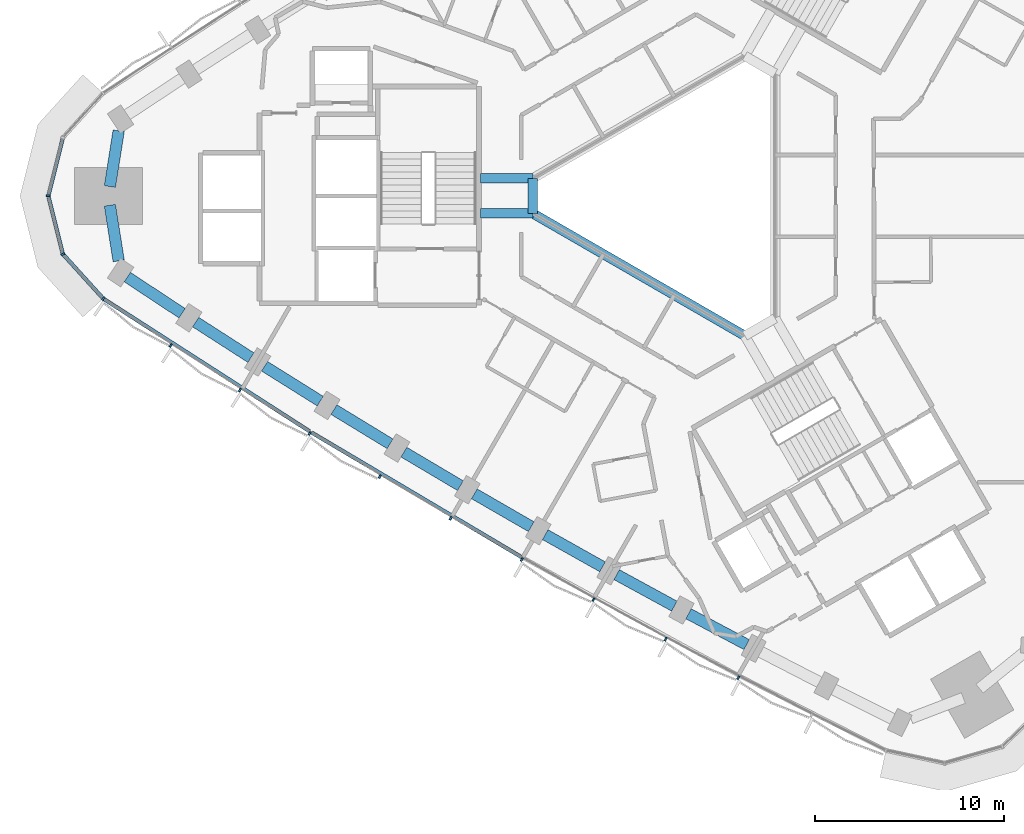
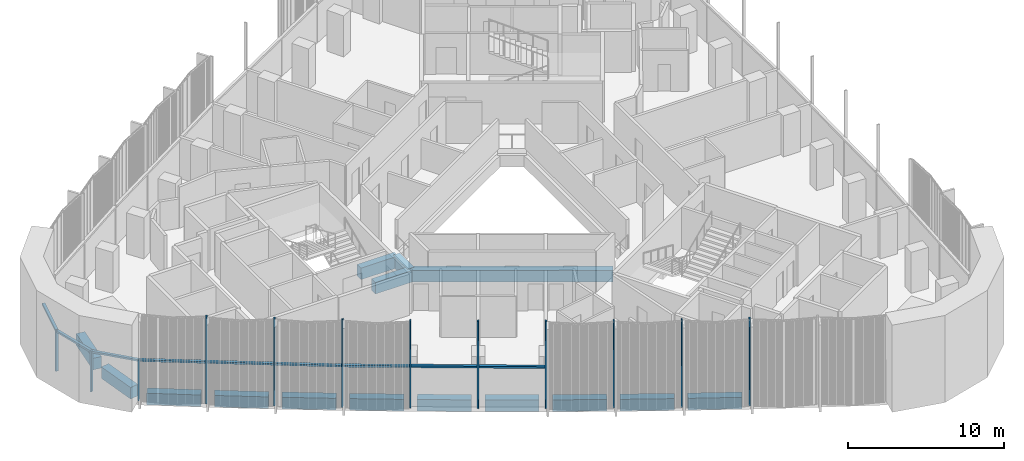
# One storey, part 2 of 15: 17 members, 15 beams, 2 elements without a shape of their own.
"""IFC4 building model written with IfcOpenShell, lengths in metres."""

from ifc_helpers import new_model, si_unit, direction, frame, origin, origin_2d, place, context, subcontext, project, spatial, rectangle, extrude, material, material_profile, profile_set, type_object, element, aggregate, save


model = new_model("IFC4")

# Units and contexts
model_context = context("Model", 3, precision=1e-05, world=origin(), true_north=direction((0.0, 1.0)))
body_context = subcontext(model_context, "Body", "Model", "MODEL_VIEW")
ifc_project = project(units=[si_unit("LENGTHUNIT", "METRE"), si_unit("AREAUNIT", "SQUARE_METRE"), si_unit("VOLUMEUNIT", "CUBIC_METRE"), si_unit("PLANEANGLEUNIT", "RADIAN"), si_unit("MASSUNIT", "GRAM", prefix="KILO")], contexts=[model_context])

# Site, building, storey
site_placement = place(None, origin())
site = spatial("IfcSite", under=ifc_project, at=site_placement, CompositionType="ELEMENT")
building_placement = place(site_placement, origin())
building = spatial("IfcBuilding", under=site, at=building_placement, Name="Tamra Quay Hotel Tower", CompositionType="ELEMENT")
storey_placement = place(building_placement, frame((0.0, 0.0, 157.60009765625)))
storey = spatial("IfcBuildingStorey", under=building, at=storey_placement, Name="L39", CompositionType="ELEMENT", Elevation=157.60009765625)

# Beams
ifc_material_1 = material(Name="Concrete M60", Category="concrete")
ifc_material_profile_1 = material_profile(ifc_material_1, rectangle(XDim=0.5, YDim=0.89990234375, at=origin_2d()), Name="ATRIUM EDGE BEAM RC 500x900")
ifc_profile_set_1 = profile_set([ifc_material_profile_1], Name="Concrete M60")
beam_type_1 = type_object("IfcBeamType", Name="ATRIUM EDGE BEAM RC 500x900", PredefinedType="BEAM", material=ifc_profile_set_1)
beam_1_placement = place(storey_placement, frame((3.199951171875, -7.39013671875, -0.85009765625), z_axis=(-0.866024942741, 0.500000798549, 0.0), x_axis=(-0.500000798549, -0.866024942741, 0.0)))
element("IfcBeam", 1, at=beam_1_placement, inside=storey, type_object=beam_type_1, Name="BM-AB2-L39", PredefinedType="BEAM", context=body_context, shape_type="SweptSolid", body=[
    extrude(rectangle(XDim=0.5, YDim=0.89990234375, at=origin_2d()), origin(), (0.0, 0.0, 1.0), 12.9326171875),
])
beam_2_placement = place(storey_placement, frame((-8.0, -0.923828125, -0.85009765625), z_axis=(0.0, 1.0, 0.0), x_axis=(-1.0, 0.0, 0.0)))
element("IfcBeam", 2, at=beam_2_placement, inside=storey, type_object=beam_type_1, Name="BM-AB3-L39", PredefinedType="BEAM", context=body_context, shape_type="SweptSolid", body=[
    extrude(rectangle(XDim=0.5, YDim=0.89990234375, at=origin_2d()), origin(), (0.0, 0.0, 1.0), 1.84765625),
])
ifc_material_profile_2 = material_profile(ifc_material_1, rectangle(XDim=0.5, YDim=0.89990234375, at=origin_2d()), Name="ATRIUM TIE BEAM RC 500x900")
ifc_profile_set_2 = profile_set([ifc_material_profile_2], Name="Concrete M60")
beam_type_2 = type_object("IfcBeamType", Name="ATRIUM TIE BEAM RC 500x900", PredefinedType="BEAM", material=ifc_profile_set_2)
for number, where, z_axis, x_axis, name in (
    (3, (-8.0, -0.923828125, -0.85009765625), (-1.0, 0.0, 0.0), (0.0, -1.0, 0.0), "BM-TIE-3-L39"),
    (4, (-8.0, 0.923828125, -0.85009765625), (-1.0, 0.0, 0.0), (0.0, -1.0, 0.0), "BM-TIE-4-L39"),
):
    element("IfcBeam", number, at=place(storey_placement, frame(where, z_axis=z_axis, x_axis=x_axis)), inside=storey, type_object=beam_type_2, Name=name, PredefinedType="BEAM", context=body_context, shape_type="SweptSolid", body=[
        extrude(rectangle(XDim=0.5, YDim=0.89990234375, at=origin_2d()), origin(), (0.0, 0.0, 1.0), 2.76220703125),
    ])

# Curtain wall, members
ifc_material_2 = material(Name="Aluminium 6063 anodised dark grey", Category="aluminium")
curtain_wall_type_1 = type_object("IfcCurtainWallType", Name="CW2 CURTAIN WALL", PredefinedType="NOTDEFINED", material=ifc_material_2)
curtain_wall_1_placement = place(storey_placement, origin())
curtain_wall_1 = element("IfcCurtainWall", 5, at=curtain_wall_1_placement, inside=storey, type_object=curtain_wall_type_1, Name="CW2 north-west face L39", PredefinedType="NOTDEFINED")
ifc_material_profile_3 = material_profile(ifc_material_2, rectangle(XDim=0.199951171875, YDim=0.10009765625, at=origin_2d()), Name="MULLION 100X200")
ifc_profile_set_3 = profile_set([ifc_material_profile_3], Name="Aluminium 6063 anodised dark grey")
member_type_1 = type_object("IfcMemberType", Name="MULLION CW2 Z3", PredefinedType="MULLION", material=ifc_profile_set_3)
member_1_placement = place(storey_placement, frame((-33.588134765625, 0.0, 0.0), z_axis=(0.0, 0.0, 1.0), x_axis=(-1.0, 0.0, 0.0)))
member_1 = element("IfcMember", 6, at=member_1_placement, type_object=member_type_1, Name="CW2 mullion L39.NW.14", PredefinedType="MULLION", context=body_context, shape_type="SweptSolid", body=[
    extrude(rectangle(XDim=0.199951171875, YDim=0.10009765625, at=origin_2d()), origin(), (0.0, 0.0, 1.0), 3.199951171875),
])
member_2_placement = place(storey_placement, frame((-32.81787109375, -3.075439453125, 0.0), z_axis=(0.0, 0.0, 1.0), x_axis=(-0.881925145425, -0.47138947577, 0.0)))
member_2 = element("IfcMember", 7, at=member_2_placement, type_object=member_type_1, Name="CW2 mullion L39.NW.15", PredefinedType="MULLION", context=body_context, shape_type="SweptSolid", body=[
    extrude(rectangle(XDim=0.199951171875, YDim=0.10009765625, at=origin_2d()), origin(), (0.0, 0.0, 1.0), 3.199951171875),
])

curtain_wall_type_2 = type_object("IfcCurtainWallType", Name="CW3 CURTAIN WALL", PredefinedType="NOTDEFINED", material=ifc_material_2)
curtain_wall_2_placement = place(storey_placement, origin())
curtain_wall_2 = element("IfcCurtainWall", 8, at=curtain_wall_2_placement, inside=storey, type_object=curtain_wall_type_2, Name="CW3 south-west face L39", PredefinedType="NOTDEFINED")
ifc_material_profile_4 = material_profile(ifc_material_2, rectangle(XDim=0.199951171875, YDim=0.10009765625, at=origin_2d()), Name="MULLION 100X200")
ifc_profile_set_4 = profile_set([ifc_material_profile_4], Name="Aluminium 6063 anodised dark grey")
member_type_2 = type_object("IfcMemberType", Name="MULLION CW3 Z3", PredefinedType="MULLION", material=ifc_profile_set_4)
member_3_placement = place(storey_placement, frame((-30.688720703125, -5.424560546875, 0.0), z_axis=(0.0, 0.0, 1.0), x_axis=(-0.650989312843, -0.759086895266, 0.0)))
member_3 = element("IfcMember", 9, at=member_3_placement, type_object=member_type_2, Name="CW3 mullion L39.SW.1", PredefinedType="MULLION", context=body_context, shape_type="SweptSolid", body=[
    extrude(rectangle(XDim=0.199951171875, YDim=0.10009765625, at=origin_2d()), origin(), (0.0, 0.0, 1.0), 3.199951171875),
])
member_4_placement = place(storey_placement, frame((-27.119140625, -7.899658203125, 0.0), z_axis=(0.0, 0.0, 1.0), x_axis=(-0.545780314448, -0.837928307411, 0.0)))
member_4 = element("IfcMember", 10, at=member_4_placement, type_object=member_type_2, Name="CW3 mullion L39.SW.2", PredefinedType="MULLION", context=body_context, shape_type="SweptSolid", body=[
    extrude(rectangle(XDim=0.199951171875, YDim=0.10009765625, at=origin_2d()), origin(), (0.0, 0.0, 1.0), 6.7998046875),
])
member_5_placement = place(storey_placement, frame((-23.466064453125, -10.248291015625, 0.0), z_axis=(0.0, 0.0, 1.0), x_axis=(-0.535760125246, -0.844370231709, 0.0)))
member_5 = element("IfcMember", 11, at=member_5_placement, type_object=member_type_2, Name="CW3 mullion L39.SW.3", PredefinedType="MULLION", context=body_context, shape_type="SweptSolid", body=[
    extrude(rectangle(XDim=0.199951171875, YDim=0.10009765625, at=origin_2d()), origin(), (0.0, 0.0, 1.0), 6.7998046875),
])
member_6_placement = place(storey_placement, frame((-19.784423828125, -12.5537109375, 0.0), z_axis=(0.0, 0.0, 1.0), x_axis=(-0.525646005383, -0.850703401325, 0.0)))
member_6 = element("IfcMember", 12, at=member_6_placement, type_object=member_type_2, Name="CW3 mullion L39.SW.4", PredefinedType="MULLION", context=body_context, shape_type="SweptSolid", body=[
    extrude(rectangle(XDim=0.199951171875, YDim=0.10009765625, at=origin_2d()), origin(), (0.0, 0.0, 1.0), 6.7998046875),
])
member_7_placement = place(storey_placement, frame((-16.07568359375, -14.814697265625, 0.0), z_axis=(0.0, 0.0, 1.0), x_axis=(-0.515444821911, -0.856922771062, 0.0)))
member_7 = element("IfcMember", 13, at=member_7_placement, type_object=member_type_2, Name="CW3 mullion L39.SW.5", PredefinedType="MULLION", context=body_context, shape_type="SweptSolid", body=[
    extrude(rectangle(XDim=0.199951171875, YDim=0.10009765625, at=origin_2d()), origin(), (0.0, 0.0, 1.0), 6.7998046875),
])
member_8_placement = place(storey_placement, frame((-12.3408203125, -17.031005859375, 0.0), z_axis=(0.0, 0.0, 1.0), x_axis=(-0.505168700956, -0.863020615961, 0.0)))
member_8 = element("IfcMember", 14, at=member_8_placement, type_object=member_type_2, Name="CW3 mullion L39.SW.6", PredefinedType="MULLION", context=body_context, shape_type="SweptSolid", body=[
    extrude(rectangle(XDim=0.199951171875, YDim=0.10009765625, at=origin_2d()), origin(), (0.0, 0.0, 1.0), 6.7998046875),
])
member_9_placement = place(storey_placement, frame((-8.578857421875, -19.202880859375, 0.0), z_axis=(0.0, 0.0, 1.0), x_axis=(-0.494813426934, -0.868999236205, 0.0)))
member_9 = element("IfcMember", 15, at=member_9_placement, type_object=member_type_2, Name="CW3 mullion L39.SW.7", PredefinedType="MULLION", context=body_context, shape_type="SweptSolid", body=[
    extrude(rectangle(XDim=0.199951171875, YDim=0.10009765625, at=origin_2d()), origin(), (0.0, 0.0, 1.0), 6.7998046875),
])
member_10_placement = place(storey_placement, frame((-4.792236328125, -21.329345703125, 0.0), z_axis=(0.0, 0.0, 1.0), x_axis=(-0.484394477866, -0.874849695555, 0.0)))
member_10 = element("IfcMember", 16, at=member_10_placement, type_object=member_type_2, Name="CW3 mullion L39.SW.8", PredefinedType="MULLION", context=body_context, shape_type="SweptSolid", body=[
    extrude(rectangle(XDim=0.199951171875, YDim=0.10009765625, at=origin_2d()), origin(), (0.0, 0.0, 1.0), 6.7998046875),
])
member_11_placement = place(storey_placement, frame((-0.9794921875, -23.41064453125, 0.0), z_axis=(0.0, 0.0, 1.0), x_axis=(-0.473907753941, -0.880574494722, 0.0)))
member_11 = element("IfcMember", 17, at=member_11_placement, type_object=member_type_2, Name="CW3 mullion L39.SW.9", PredefinedType="MULLION", context=body_context, shape_type="SweptSolid", body=[
    extrude(rectangle(XDim=0.199951171875, YDim=0.10009765625, at=origin_2d()), origin(), (0.0, 0.0, 1.0), 6.7998046875),
])
member_12_placement = place(storey_placement, frame((2.85791015625, -25.4462890625, 0.0), z_axis=(0.0, 0.0, 1.0), x_axis=(-0.463366008237, -0.886166994652, 0.0)))
member_12 = element("IfcMember", 18, at=member_12_placement, type_object=member_type_2, Name="CW3 mullion L39.SW.10", PredefinedType="MULLION", context=body_context, shape_type="SweptSolid", body=[
    extrude(rectangle(XDim=0.199951171875, YDim=0.10009765625, at=origin_2d()), origin(), (0.0, 0.0, 1.0), 6.7998046875),
])

# Beams
ifc_material_profile_5 = material_profile(ifc_material_1, rectangle(XDim=0.60009765625, YDim=0.89990234375, at=origin_2d()), Name="SPANDREL BEAM RC 600x900")
ifc_profile_set_5 = profile_set([ifc_material_profile_5], Name="Concrete M60")
beam_type_3 = type_object("IfcBeamType", Name="SPANDREL BEAM RC 600x900", PredefinedType="SPANDREL", material=ifc_profile_set_5)
for number, where, z_axis, x_axis, name in (
    (19, (-29.87060546875, 3.434814453125, -0.85009765625), (-0.156337236308, -0.987703735208, 0.0), (0.987703735208, -0.156337236308, 0.0), "BM-SP3-024-L39"),
    (20, (-30.336181640625, -0.493408203125, -0.85009765625), (0.156337236308, -0.987703735208, 0.0), (0.987703735208, 0.156337236308, 0.0), "BM-SP3-025-L39"),
):
    element("IfcBeam", number, at=place(storey_placement, frame(where, z_axis=z_axis, x_axis=x_axis)), inside=storey, type_object=beam_type_3, Name=name, PredefinedType="SPANDREL", context=body_context, shape_type="SweptSolid", body=[
        extrude(rectangle(XDim=0.60009765625, YDim=0.89990234375, at=origin_2d()), origin(), (0.0, 0.0, 1.0), 2.97802734375),
    ])
beam_3_placement = place(storey_placement, frame((-29.41796875, -4.28759765625, -0.85009765625), z_axis=(0.834690851507, -0.55071878705, 0.0), x_axis=(0.55071878705, 0.834690851507, 0.0)))
element("IfcBeam", 21, at=beam_3_placement, inside=storey, type_object=beam_type_3, Name="BM-SP3-026-L39", PredefinedType="SPANDREL", context=body_context, shape_type="SweptSolid", body=[
    extrude(rectangle(XDim=0.60009765625, YDim=0.89990234375, at=origin_2d()), origin(), (0.0, 0.0, 1.0), 3.472412109375),
])
beam_4_placement = place(storey_placement, frame((-25.807373046875, -6.663818359375, -0.85009765625), z_axis=(0.84116020305, -0.540786013878, 0.0), x_axis=(0.540786013878, 0.84116020305, 0.0)))
element("IfcBeam", 22, at=beam_4_placement, inside=storey, type_object=beam_type_3, Name="BM-SP3-027-L39", PredefinedType="SPANDREL", context=body_context, shape_type="SweptSolid", body=[
    extrude(rectangle(XDim=0.60009765625, YDim=0.89990234375, at=origin_2d()), origin(), (0.0, 0.0, 1.0), 3.47314453125),
])
for number, where, z_axis, x_axis, name in (
    (23, (-22.168212890625, -8.997314453125, -0.85009765625), (0.847547681474, -0.530719255, 0.0), (0.530719255, 0.847547681474, 0.0), "BM-SP3-028-L39"),
    (24, (-18.502197265625, -11.287109375, -0.85009765625), (0.853835813207, -0.520542413339, 0.0), (0.520542413339, 0.853835813207, 0.0), "BM-SP3-029-L39"),
):
    element("IfcBeam", number, at=place(storey_placement, frame(where, z_axis=z_axis, x_axis=x_axis)), inside=storey, type_object=beam_type_3, Name=name, PredefinedType="SPANDREL", context=body_context, shape_type="SweptSolid", body=[
        extrude(rectangle(XDim=0.60009765625, YDim=0.89990234375, at=origin_2d()), origin(), (0.0, 0.0, 1.0), 3.47216796875),
    ])
beam_5_placement = place(storey_placement, frame((-14.80908203125, -13.53271484375, -0.85009765625), z_axis=(0.859988767784, -0.510312962098, 0.0), x_axis=(0.510312962098, 0.859988767784, 0.0)))
element("IfcBeam", 25, at=beam_5_placement, inside=storey, type_object=beam_type_3, Name="BM-SP3-030-L39", PredefinedType="SPANDREL", context=body_context, shape_type="SweptSolid", body=[
    extrude(rectangle(XDim=0.60009765625, YDim=0.89990234375, at=origin_2d()), origin(), (0.0, 0.0, 1.0), 3.472900390625),
])
beam_6_placement = place(storey_placement, frame((-11.0888671875, -15.734375, -0.85009765625), z_axis=(0.866032201241, -0.499988226275, 0.0), x_axis=(0.499988226275, 0.866032201241, 0.0)))
element("IfcBeam", 26, at=beam_6_placement, inside=storey, type_object=beam_type_3, Name="BM-SP3-031-L39", PredefinedType="SPANDREL", context=body_context, shape_type="SweptSolid", body=[
    extrude(rectangle(XDim=0.60009765625, YDim=0.89990234375, at=origin_2d()), origin(), (0.0, 0.0, 1.0), 3.47216796875),
])
beam_7_placement = place(storey_placement, frame((-7.34326171875, -17.89111328125, -0.85009765625), z_axis=(0.871956406858, -0.489583521516, 0.0), x_axis=(0.489583521516, 0.871956406858, 0.0)))
element("IfcBeam", 27, at=beam_7_placement, inside=storey, type_object=beam_type_3, Name="BM-SP3-032-L39", PredefinedType="SPANDREL", context=body_context, shape_type="SweptSolid", body=[
    extrude(rectangle(XDim=0.60009765625, YDim=0.89990234375, at=origin_2d()), origin(), (0.0, 0.0, 1.0), 3.47265625),
])
for number, where, z_axis, x_axis, name in (
    (28, (-3.571533203125, -20.003173828125, -0.85009765625), (0.877731617539, -0.479152593202, 0.0), (0.479152593202, 0.877731617539, 0.0), "BM-SP3-033-L39"),
    (29, (0.224609375, -22.06982421875, -0.85009765625), (0.883411391477, -0.468598243071, 0.0), (0.468598243071, 0.883411391477, 0.0), "BM-SP3-034-L39"),
):
    element("IfcBeam", number, at=place(storey_placement, frame(where, z_axis=z_axis, x_axis=x_axis)), inside=storey, type_object=beam_type_3, Name=name, PredefinedType="SPANDREL", context=body_context, shape_type="SweptSolid", body=[
        extrude(rectangle(XDim=0.60009765625, YDim=0.89990234375, at=origin_2d()), origin(), (0.0, 0.0, 1.0), 3.472412109375),
    ])

# Member
ifc_material_profile_6 = material_profile(ifc_material_2, rectangle(XDim=0.199951171875, YDim=0.139892578125, at=origin_2d()), Name="TRANSOM 200X140")
ifc_profile_set_6 = profile_set([ifc_material_profile_6], Name="Aluminium 6063 anodised dark grey")
member_type_3 = type_object("IfcMemberType", Name="TRANSOM CW2 Z3", PredefinedType="USERDEFINED", material=ifc_profile_set_6)
member_13_placement = place(storey_placement, frame((-32.830078125, 3.02685546875, 3.1298828125), z_axis=(-0.243003342732, -0.970025450914, 0.0), x_axis=(0.970025450914, -0.243003342732, 0.0)))
member_13 = element("IfcMember", 30, at=member_13_placement, type_object=member_type_3, Name="CW2 transom L39.NW.13", ObjectType="TRANSOM", PredefinedType="USERDEFINED", context=body_context, shape_type="SweptSolid", body=[
    extrude(rectangle(XDim=0.199951171875, YDim=0.139892578125, at=origin_2d()), origin(), (0.0, 0.0, 1.0), 3.0703125),
])

member_14_placement = place(storey_placement, frame((-33.576171875, -0.048583984375, 3.1298828125), z_axis=(0.243003342732, -0.970025450914, 0.0), x_axis=(0.970025450914, 0.243003342732, 0.0)))
member_14 = element("IfcMember", 31, at=member_14_placement, type_object=member_type_3, Name="CW2 transom L39.NW.14", ObjectType="TRANSOM", PredefinedType="USERDEFINED", context=body_context, shape_type="SweptSolid", body=[
    extrude(rectangle(XDim=0.199951171875, YDim=0.139892578125, at=origin_2d()), origin(), (0.0, 0.0, 1.0), 3.0703125),
])

member_15_placement = place(storey_placement, frame((-32.784423828125, -3.1123046875, 3.1298828125), z_axis=(0.671548073699, -0.740960987307, 0.0), x_axis=(0.740960987307, 0.671548073699, 0.0)))
member_15 = element("IfcMember", 32, at=member_15_placement, type_object=member_type_3, Name="CW2 transom L39.NW.15", ObjectType="TRANSOM", PredefinedType="USERDEFINED", context=body_context, shape_type="SweptSolid", body=[
    extrude(rectangle(XDim=0.199951171875, YDim=0.139892578125, at=origin_2d()), origin(), (0.0, 0.0, 1.0), 3.070556640625),
])

aggregate(curtain_wall_1, [member_13, member_1, member_14, member_2, member_15])

ifc_material_profile_7 = material_profile(ifc_material_2, rectangle(XDim=0.199951171875, YDim=0.139892578125, at=origin_2d()), Name="TRANSOM 200X140")
ifc_profile_set_7 = profile_set([ifc_material_profile_7], Name="Aluminium 6063 anodised dark grey")
member_type_4 = type_object("IfcMemberType", Name="TRANSOM CW3 Z3", PredefinedType="USERDEFINED", material=ifc_profile_set_7)
member_16_placement = place(storey_placement, frame((-30.647216796875, -5.451904296875, 3.1298828125), z_axis=(0.841166815222, -0.540775728901, 0.0), x_axis=(0.540775728901, 0.841166815222, 0.0)))
member_16 = element("IfcMember", 33, at=member_16_placement, type_object=member_type_4, Name="CW3 transom L39.SW.1", ObjectType="TRANSOM", PredefinedType="USERDEFINED", context=body_context, shape_type="SweptSolid", body=[
    extrude(rectangle(XDim=0.199951171875, YDim=0.139892578125, at=origin_2d()), origin(), (0.0, 0.0, 1.0), 12.92578125),
])

member_17_placement = place(storey_placement, frame((-19.689208984375, -12.49462890625, 3.1298828125), z_axis=(0.859989187886, -0.510312254134, 0.0), x_axis=(0.510312254134, 0.859989187886, 0.0)))
member_17 = element("IfcMember", 34, at=member_17_placement, type_object=member_type_4, Name="CW3 transom L39.SW.4", ObjectType="TRANSOM", PredefinedType="USERDEFINED", context=body_context, shape_type="SweptSolid", body=[
    extrude(rectangle(XDim=0.199951171875, YDim=0.139892578125, at=origin_2d()), origin(), (0.0, 0.0, 1.0), 12.92626953125),
])

aggregate(curtain_wall_2, [member_3, member_16, member_4, member_5, member_6, member_17, member_7, member_8, member_9, member_10, member_11, member_12])

save(model, "model.ifc")
